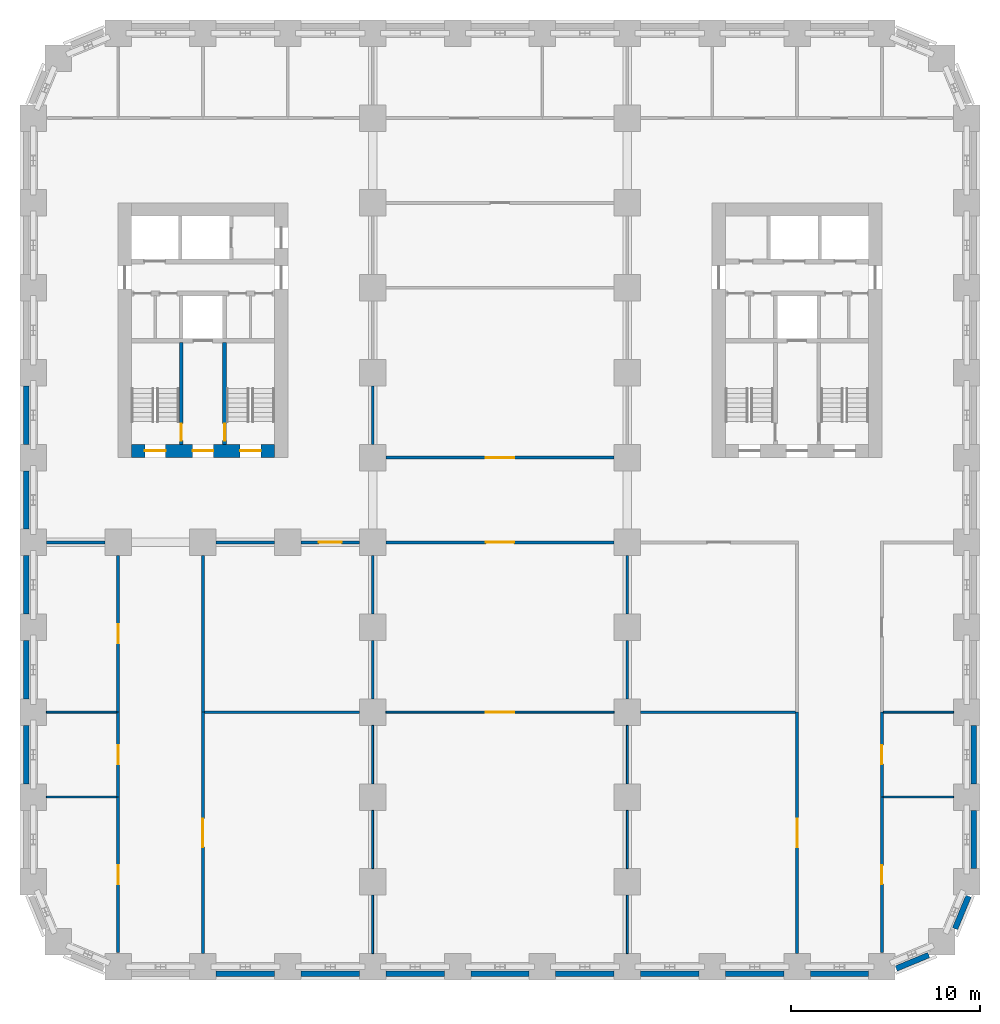
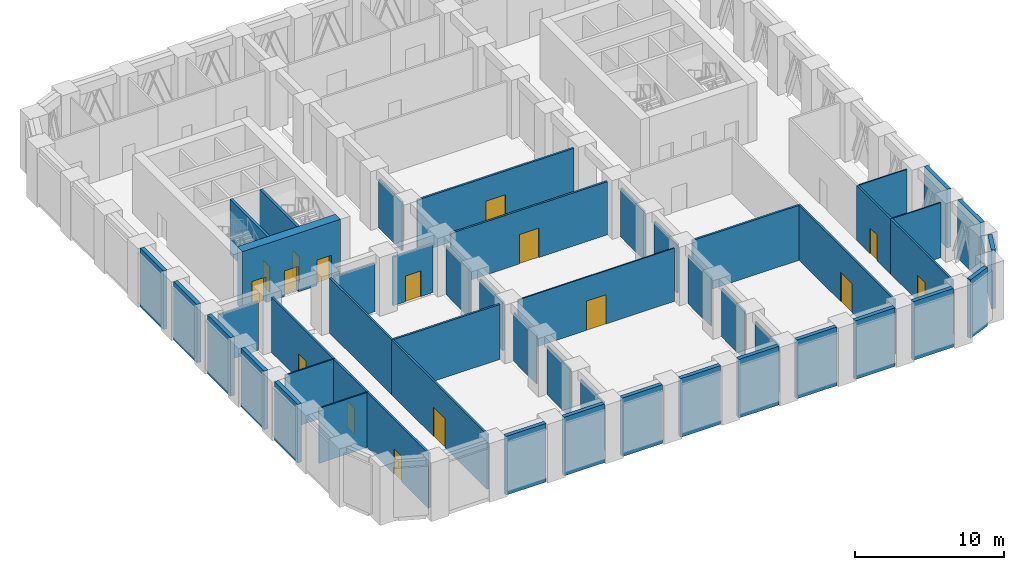
# One storey, part 3 of 9: 51 walls, 16 doors, 16 openings.
"""IFC4 building model written with IfcOpenShell, lengths in metres."""

import ifcopenshell
import ifcopenshell.guid

model = None  # the IFC model being written
_history = None  # IfcOwnerHistory: only IFC2X3 demands one
_inside = {}  # id of a spatial element -> (the spatial element, [elements in it])
_under = {}  # id of a project, library or spatial element -> (it, [spatial elements below it])
_declared = {}  # id of a project -> (the project, [libraries it declares])
_typed = {}  # id of a type object -> (the type object, [elements of that type])
_made_of = {}  # id of a material, layer set ... -> (it, [elements and type objects made of it])


def new_model(schema):
    """Start an empty IFC model of exactly this schema.

    Asked for "IFC4X3", IfcOpenShell would pick the latest addendum, in which some entities
    have other attributes; the version numbers below select the first issue.
    IFC2X3 requires an IfcOwnerHistory on every rooted entity: one is made here for all.
    """
    global model, _history
    if schema == "IFC4X3":
        model = ifcopenshell.file(schema_version=(4, 3, 0, 0))
    else:
        model = ifcopenshell.file(schema=schema)
    _inside.clear()
    _under.clear()
    _declared.clear()
    _typed.clear()
    _made_of.clear()
    _history = None
    if model.schema == "IFC2X3":
        org = make("IfcOrganization", Name="unknown")
        user = make(
            "IfcPersonAndOrganization",
            ThePerson=make("IfcPerson", FamilyName="unknown"),
            TheOrganization=org,
        )
        app = make(
            "IfcApplication",
            ApplicationDeveloper=org,
            Version="unknown",
            ApplicationFullName="unknown",
            ApplicationIdentifier="unknown",
        )
        _history = make(
            "IfcOwnerHistory",
            OwningUser=user,
            OwningApplication=app,
            ChangeAction="ADDED",
            CreationDate=0,
        )
    return model


def make(cls, **values):
    """One entity of the class cls with the attributes given. An attribute that is None is left unset."""
    return model.create_entity(
        cls, **{name: value for name, value in values.items() if value is not None}
    )


def rooted(cls, **values):
    """An entity with a GlobalId (a new one), such as an element, a storey or a relation."""
    return make(cls, GlobalId=ifcopenshell.guid.new(), OwnerHistory=_history, **values)


def si_unit(unit_type, name, prefix=None):
    """IfcSIUnit, for example si_unit("LENGTHUNIT", "METRE", prefix="MILLI")."""
    return make("IfcSIUnit", UnitType=unit_type, Prefix=prefix, Name=name)


def assignment(units):
    """IfcUnitAssignment: the units of a project."""
    return None if units is None else make("IfcUnitAssignment", Units=units)


def point(xyz):
    """IfcCartesianPoint."""
    return None if xyz is None else make("IfcCartesianPoint", Coordinates=xyz)


def direction(xyz):
    """IfcDirection."""
    return None if xyz is None else make("IfcDirection", DirectionRatios=xyz)


def frame(location, z_axis=None, x_axis=None):
    """IfcAxis2Placement3D, a coordinate frame: its origin and axes. An axis left out is left unset."""
    return make(
        "IfcAxis2Placement3D",
        Location=point(location),
        Axis=direction(z_axis),
        RefDirection=direction(x_axis),
    )


def frame_2d(location, x_axis=None):
    """IfcAxis2Placement2D, a coordinate frame in the plane: its origin and x axis."""
    return make(
        "IfcAxis2Placement2D", Location=point(location), RefDirection=direction(x_axis)
    )


def origin():
    """The frame at (0, 0, 0) with its axes left unset."""
    return frame((0.0, 0.0, 0.0))


def place(relative_to, where):
    """IfcLocalPlacement: puts the frame where relative to a parent placement (None: the world)."""
    return make(
        "IfcLocalPlacement", PlacementRelTo=relative_to, RelativePlacement=where
    )


def context(
    kind, dimensions, precision=None, world=None, true_north=None, identifier=None
):
    """IfcGeometricRepresentationContext, for example the 3D "Model" context."""
    return make(
        "IfcGeometricRepresentationContext",
        ContextIdentifier=identifier,
        ContextType=kind,
        CoordinateSpaceDimension=dimensions,
        Precision=precision,
        WorldCoordinateSystem=world,
        TrueNorth=true_north,
    )


def subcontext(parent, identifier, kind, view, scale=None):
    """IfcGeometricRepresentationSubContext, for example "Body" below "Model"."""
    return make(
        "IfcGeometricRepresentationSubContext",
        ContextIdentifier=identifier,
        ContextType=kind,
        ParentContext=parent,
        TargetScale=scale,
        TargetView=view,
    )


def project(units=None, contexts=None):
    """IfcProject with its units and contexts."""
    return rooted(
        "IfcProject",
        Name="project",
        RepresentationContexts=contexts,
        UnitsInContext=assignment(units),
    )


def spatial(cls, under=None, at=None, **own):
    """A site, building, storey or space (cls), placed at a placement, below another one or the project."""
    s = rooted(cls, ObjectPlacement=at, **own)
    if under is not None:
        _under.setdefault(under.id(), (under, []))[1].append(s)
    return s


def profile(cls, at=None, kind="AREA", **sizes):
    """A parametric profile (cls). Its sizes go by their IFC names, for example OverallWidth=200.0."""
    return make(cls, ProfileType=kind, Position=at, **sizes)


def rectangle(**sizes):
    """IfcRectangleProfileDef."""
    return profile("IfcRectangleProfileDef", **sizes)


def extrude(swept, where, along, depth):
    """IfcExtrudedAreaSolid: the profile swept, set in the frame where, extruded along a direction by depth."""
    return make(
        "IfcExtrudedAreaSolid",
        SweptArea=swept,
        Position=where,
        ExtrudedDirection=direction(along),
        Depth=depth,
    )


def shape(context_of_items, identifier, shape_type, items):
    """IfcShapeRepresentation: the items that make up one representation, for example the "Body"."""
    return make(
        "IfcShapeRepresentation",
        ContextOfItems=context_of_items,
        RepresentationIdentifier=identifier,
        RepresentationType=shape_type,
        Items=items,
    )


def material(Name=None, Category=None):
    """IfcMaterial."""
    return make("IfcMaterial", Name=Name, Category=Category)


def layer(
    of_material, thickness, ventilated=None, Name=None, Category=None, Priority=None
):
    """IfcMaterialLayer: one layer of a wall or slab, of a material (None: an air gap)."""
    return make(
        "IfcMaterialLayer",
        Material=of_material,
        LayerThickness=thickness,
        IsVentilated=ventilated,
        Name=Name,
        Category=Category,
        Priority=Priority,
    )


def layer_set(layers, Name=None):
    """IfcMaterialLayerSet."""
    return make("IfcMaterialLayerSet", MaterialLayers=layers, LayerSetName=Name)


def made_of(thing, what):
    """Note that an element or type object is made of a material, layer set ...; save() writes the relation."""
    if what is not None:
        _made_of.setdefault(what.id(), (what, []))[1].append(thing)
    return thing


def type_object(cls, material=None, **own):
    """A type object (cls), such as IfcWallType, which elements share."""
    return made_of(rooted(cls, **own), material)


def element(
    cls,
    number,
    at=None,
    inside=None,
    cuts=None,
    type_object=None,
    material=None,
    context=None,
    identifier="Body",
    shape_type=None,
    held_by="IfcProductDefinitionShape",
    body=None,
    shapes=None,
    **own,
):
    """One element of the class cls, such as IfcWall. Its Tag is "e" and its number.

    at: its placement. inside: the storey or other place that contains it. cuts: it is an
    opening in that element (IfcRelVoidsElement). A single representation is given by context,
    identifier, shape_type and body (its items); several are given by shapes. held_by: the class
    of the entity that holds the representations. save() writes the other relations.
    """
    e = rooted(cls, Tag="e%d" % number, ObjectPlacement=at, **own)
    if body is not None:
        shapes = [shape(context, identifier, shape_type, body)]
    if shapes is not None:
        e.Representation = make(held_by, Representations=shapes)
    if inside is not None:
        _inside.setdefault(inside.id(), (inside, []))[1].append(e)
    if cuts is not None:
        rooted(
            "IfcRelVoidsElement", RelatingBuildingElement=cuts, RelatedOpeningElement=e
        )
    if type_object is not None:
        _typed.setdefault(type_object.id(), (type_object, []))[1].append(e)
    return made_of(e, material)


def fill(opening, filler):
    """IfcRelFillsElement: the door or window that sits in an opening."""
    return rooted(
        "IfcRelFillsElement",
        RelatingOpeningElement=opening,
        RelatedBuildingElement=filler,
    )


def aggregate(whole, parts):
    """IfcRelAggregates: a whole, such as a stair, and the parts it consists of."""
    return rooted("IfcRelAggregates", RelatingObject=whole, RelatedObjects=parts)


def save(model, path):
    """Write the relations noted so far, then the file.

    IfcRelAggregates (storeys below a building ...), IfcRelContainedInSpatialStructure (elements
    in a storey), IfcRelDefinesByType, IfcRelAssociatesMaterial and IfcRelDeclares: one each for
    every whole, place, type object, material and project.
    """
    for whole, parts in _under.values():
        aggregate(whole, parts)
    for where, things in _inside.values():
        rooted(
            "IfcRelContainedInSpatialStructure",
            RelatedElements=things,
            RelatingStructure=where,
        )
    for kind, things in _typed.values():
        rooted("IfcRelDefinesByType", RelatedObjects=things, RelatingType=kind)
    for what, things in _made_of.values():
        rooted("IfcRelAssociatesMaterial", RelatedObjects=things, RelatingMaterial=what)
    for by, libraries in _declared.values():
        rooted("IfcRelDeclares", RelatingContext=by, RelatedDefinitions=libraries)
    model.write(path)


model = new_model("IFC4")

# Units and contexts
model_context = context("Model", 3, precision=1e-05, world=origin(), true_north=direction((0.0, 1.0)))
body_context = subcontext(model_context, "Body", "Model", "MODEL_VIEW")
ifc_project = project(units=[si_unit("LENGTHUNIT", "METRE"), si_unit("AREAUNIT", "SQUARE_METRE"), si_unit("VOLUMEUNIT", "CUBIC_METRE"), si_unit("PLANEANGLEUNIT", "RADIAN"), si_unit("MASSUNIT", "GRAM", prefix="KILO")], contexts=[model_context])

# Site, building, storey
site_placement = place(None, origin())
site = spatial("IfcSite", under=ifc_project, at=site_placement, CompositionType="ELEMENT")
building_placement = place(site_placement, origin())
building = spatial("IfcBuilding", under=site, at=building_placement, Name="Girih Gate Residences", CompositionType="ELEMENT")
storey_placement = place(building_placement, frame((0.0, 0.0, 75.199951171875)))
storey = spatial("IfcBuildingStorey", under=building, at=storey_placement, Name="L20", CompositionType="ELEMENT", Elevation=75.199951171875)

# Wall, opening, door
ifc_material_1 = material(Name="Gypsum board on steel studs", Category="steel")
ifc_layer_1 = layer(ifc_material_1, 0.14990234375)
ifc_layer_set_1 = layer_set([ifc_layer_1], Name="Compartment wall 150 mm")
wall_type_1 = type_object("IfcWallType", Name="Compartment wall 150 mm", PredefinedType="PARTITIONING", material=ifc_layer_set_1)
wall_1_placement = place(storey_placement, frame((18.699951171875, 27.0, 0.0), z_axis=(0.0, 0.0, 1.0), x_axis=(1.0, 0.0, 0.0)))
wall_1 = element("IfcWall", 1, at=wall_1_placement, inside=storey, type_object=wall_type_1, Name="L20 partition", PredefinedType="PARTITIONING", context=body_context, shape_type="SweptSolid", body=[
    extrude(rectangle(XDim=12.10009765625, YDim=0.14990234375, at=frame_2d((6.050048828125, 0.0))), origin(), (0.0, 0.0, 1.0), 4.35009765625),
])
opening_1_placement = place(wall_1_placement, frame((5.300048828125, 0.0, 0.0)))
opening_1 = element("IfcOpeningElement", 2, at=opening_1_placement, cuts=wall_1, Name="Opening D-L20-S-001", PredefinedType="OPENING", context=body_context, shape_type="SweptSolid", body=[
    extrude(rectangle(XDim=1.5, YDim=2.39990234375, at=frame_2d((0.75, 1.199951171875))), frame((0.0, 0.0849609375, 0.0), z_axis=(0.0, -1.0, 0.0), x_axis=(1.0, 0.0, 0.0)), (0.0, 0.0, 1.0), 0.169921875),
])
ifc_material_2 = material(Name="Painted steel, fire-resisting", Category="steel")
door_type_1 = type_object("IfcDoorType", Name="Plant room door pair 1500x2400 FD60", OperationType="DOUBLE_DOOR_SINGLE_SWING", PredefinedType="DOOR", material=ifc_material_2)
door_1_placement = place(opening_1_placement, origin())
door_1 = element("IfcDoor", 3, at=door_1_placement, inside=storey, type_object=door_type_1, Name="Door L20-001", OperationType="DOUBLE_DOOR_SINGLE_SWING", OverallHeight=2.39990234375, OverallWidth=1.5, PredefinedType="DOOR", context=body_context, shape_type="SweptSolid", body=[
    extrude(rectangle(XDim=1.5, YDim=2.39990234375, at=frame_2d((0.75, 1.199951171875))), frame((0.0, 0.02490234375, 0.0), z_axis=(0.0, -1.0, 0.0), x_axis=(1.0, 0.0, 0.0)), (0.0, 0.0, 1.0), 0.050048828125),
])
fill(opening_1, door_1)

wall_2_placement = place(storey_placement, frame((30.800048828125, 22.5, 0.0), z_axis=(0.0, 0.0, 1.0), x_axis=(-1.0, 0.0, 0.0)))
wall_2 = element("IfcWall", 4, at=wall_2_placement, inside=storey, type_object=wall_type_1, Name="L20 partition", PredefinedType="PARTITIONING", context=body_context, shape_type="SweptSolid", body=[
    extrude(rectangle(XDim=12.10009765625, YDim=0.14990234375, at=frame_2d((6.050048828125, 0.0))), origin(), (0.0, 0.0, 1.0), 4.35009765625),
])
opening_2_placement = place(wall_2_placement, frame((5.300048828125, 0.0, 0.0)))
opening_2 = element("IfcOpeningElement", 5, at=opening_2_placement, cuts=wall_2, Name="Opening D-L20-S-002", PredefinedType="OPENING", context=body_context, shape_type="SweptSolid", body=[
    extrude(rectangle(XDim=1.5, YDim=2.39990234375, at=frame_2d((0.75, 1.199951171875))), frame((0.0, 0.0849609375, 0.0), z_axis=(0.0, -1.0, 0.0), x_axis=(1.0, 0.0, 0.0)), (0.0, 0.0, 1.0), 0.169921875),
])
door_2_placement = place(opening_2_placement, origin())
door_2 = element("IfcDoor", 6, at=door_2_placement, inside=storey, type_object=door_type_1, Name="Door L20-002", OperationType="DOUBLE_DOOR_SINGLE_SWING", OverallHeight=2.39990234375, OverallWidth=1.5, PredefinedType="DOOR", context=body_context, shape_type="SweptSolid", body=[
    extrude(rectangle(XDim=1.5, YDim=2.39990234375, at=frame_2d((0.75, 1.199951171875))), frame((0.0, 0.02490234375, 0.0), z_axis=(0.0, -1.0, 0.0), x_axis=(1.0, 0.0, 0.0)), (0.0, 0.0, 1.0), 0.050048828125),
])
fill(opening_2, door_2)

# Walls
for number, where, z_axis, x_axis, name in (
    (7, (18.0, 27.699951171875, 0.0), (0.0, 0.0, 1.0), (0.0, 1.0, 0.0), "L20 partition"),
    (8, (31.5, 18.699951171875, 0.0), (0.0, 0.0, 1.0), (0.0, 1.0, 0.0), "L20 partition"),
    (9, (31.5, 14.199951171875, 0.0), (0.0, 0.0, 1.0), (0.0, 1.0, 0.0), "L20 partition"),
    (10, (18.0, 14.199951171875, 0.0), (0.0, 0.0, 1.0), (0.0, 1.0, 0.0), "L20 partition"),
    (11, (18.0, 18.699951171875, 0.0), (0.0, 0.0, 1.0), (0.0, 1.0, 0.0), "L20 partition"),
):
    element("IfcWall", number, at=place(storey_placement, frame(where, z_axis=z_axis, x_axis=x_axis)), inside=storey, type_object=wall_type_1, Name=name, PredefinedType="PARTITIONING", context=body_context, shape_type="SweptSolid", body=[
        extrude(rectangle(XDim=3.10009765625, YDim=0.14990234375, at=frame_2d((1.550048828125, 0.0))), origin(), (0.0, 0.0, 1.0), 3.97998046875),
    ])
wall_3_placement = place(storey_placement, frame((32.199951171875, 13.5, 0.0), z_axis=(0.0, 0.0, 1.0), x_axis=(1.0, 0.0, 0.0)))
element("IfcWall", 12, at=wall_3_placement, inside=storey, type_object=wall_type_1, Name="L20 partition", PredefinedType="PARTITIONING", context=body_context, shape_type="SweptSolid", body=[
    extrude(rectangle(XDim=8.22509765625, YDim=0.14990234375, at=frame_2d((4.112548828125, 0.0))), origin(), (0.0, 0.0, 1.0), 4.5),
])

# Wall, opening, door
wall_4_placement = place(storey_placement, frame((40.5, 0.699951171875, 0.0), z_axis=(0.0, 0.0, 1.0), x_axis=(0.0, 1.0, 0.0)))
wall_4 = element("IfcWall", 13, at=wall_4_placement, inside=storey, type_object=wall_type_1, Name="L20 partition", PredefinedType="PARTITIONING", context=body_context, shape_type="SweptSolid", body=[
    extrude(rectangle(XDim=12.800048828125, YDim=0.14990234375, at=frame_2d((6.39990234375, 0.0))), origin(), (0.0, 0.0, 1.0), 4.5),
])
opening_3_placement = place(wall_4_placement, frame((5.64990234375, 0.0, 0.0)))
opening_3 = element("IfcOpeningElement", 14, at=opening_3_placement, cuts=wall_4, Name="Opening D-L20-S-012", PredefinedType="OPENING", context=body_context, shape_type="SweptSolid", body=[
    extrude(rectangle(XDim=1.5, YDim=2.39990234375, at=frame_2d((0.75, 1.199951171875))), frame((0.0, 0.0849609375, 0.0), z_axis=(0.0, -1.0, 0.0), x_axis=(1.0, 0.0, 0.0)), (0.0, 0.0, 1.0), 0.169921875),
])
door_3_placement = place(opening_3_placement, origin())
door_3 = element("IfcDoor", 15, at=door_3_placement, inside=storey, type_object=door_type_1, Name="Door L20-012", OperationType="DOUBLE_DOOR_SINGLE_SWING", OverallHeight=2.39990234375, OverallWidth=1.5, PredefinedType="DOOR", context=body_context, shape_type="SweptSolid", body=[
    extrude(rectangle(XDim=1.5, YDim=2.39990234375, at=frame_2d((0.75, 1.199951171875))), frame((0.0, 0.02490234375, 0.0), z_axis=(0.0, -1.0, 0.0), x_axis=(1.0, 0.0, 0.0)), (0.0, 0.0, 1.0), 0.050048828125),
])
fill(opening_3, door_3)

wall_5_placement = place(storey_placement, frame((45.0, 9.0, 0.0), z_axis=(0.0, 0.0, 1.0), x_axis=(0.0, -1.0, 0.0)))
wall_5 = element("IfcWall", 16, at=wall_5_placement, inside=storey, type_object=wall_type_1, Name="L20 partition", PredefinedType="PARTITIONING", context=body_context, shape_type="SweptSolid", body=[
    extrude(rectangle(XDim=8.242431640625, YDim=0.14990234375, at=frame_2d((4.12109375, 0.0))), origin(), (0.0, 0.0, 1.0), 4.5),
])
opening_4_placement = place(wall_5_placement, frame((3.62109375, 0.0, 0.0)))
opening_4 = element("IfcOpeningElement", 17, at=opening_4_placement, cuts=wall_5, Name="Opening D-L20-S-013", PredefinedType="OPENING", context=body_context, shape_type="SweptSolid", body=[
    extrude(rectangle(XDim=1.0, YDim=2.10009765625, at=frame_2d((0.5, 1.050048828125))), frame((0.0, 0.0849609375, 0.0), z_axis=(0.0, -1.0, 0.0), x_axis=(1.0, 0.0, 0.0)), (0.0, 0.0, 1.0), 0.169921875),
])
door_type_2 = type_object("IfcDoorType", Name="Plant room door 1000x2100 FD60", OperationType="SINGLE_SWING_LEFT", PredefinedType="DOOR", material=ifc_material_2)
door_4_placement = place(opening_4_placement, origin())
door_4 = element("IfcDoor", 18, at=door_4_placement, inside=storey, type_object=door_type_2, Name="Door L20-013", OperationType="SINGLE_SWING_RIGHT", OverallHeight=2.10009765625, OverallWidth=1.0, PredefinedType="DOOR", context=body_context, shape_type="SweptSolid", body=[
    extrude(rectangle(XDim=1.0, YDim=2.10009765625, at=frame_2d((0.5, 1.050048828125))), frame((0.0, 0.02490234375, 0.0), z_axis=(0.0, -1.0, 0.0), x_axis=(1.0, 0.0, 0.0)), (0.0, 0.0, 1.0), 0.050048828125),
])
fill(opening_4, door_4)

wall_6_placement = place(storey_placement, frame((45.0, 13.5, 0.0), z_axis=(0.0, 0.0, 1.0), x_axis=(0.0, -1.0, 0.0)))
wall_6 = element("IfcWall", 19, at=wall_6_placement, inside=storey, type_object=wall_type_1, Name="L20 partition", PredefinedType="PARTITIONING", context=body_context, shape_type="SweptSolid", body=[
    extrude(rectangle(XDim=4.5, YDim=0.14990234375, at=frame_2d((2.25, 0.0))), origin(), (0.0, 0.0, 1.0), 4.5),
])
opening_5_placement = place(wall_6_placement, frame((1.75, 0.0, 0.0)))
opening_5 = element("IfcOpeningElement", 20, at=opening_5_placement, cuts=wall_6, Name="Opening D-L20-S-014", PredefinedType="OPENING", context=body_context, shape_type="SweptSolid", body=[
    extrude(rectangle(XDim=1.0, YDim=2.10009765625, at=frame_2d((0.5, 1.050048828125))), frame((0.0, 0.0849609375, 0.0), z_axis=(0.0, -1.0, 0.0), x_axis=(1.0, 0.0, 0.0)), (0.0, 0.0, 1.0), 0.169921875),
])
door_5_placement = place(opening_5_placement, origin())
door_5 = element("IfcDoor", 21, at=door_5_placement, inside=storey, type_object=door_type_2, Name="Door L20-014", OperationType="SINGLE_SWING_RIGHT", OverallHeight=2.10009765625, OverallWidth=1.0, PredefinedType="DOOR", context=body_context, shape_type="SweptSolid", body=[
    extrude(rectangle(XDim=1.0, YDim=2.10009765625, at=frame_2d((0.5, 1.050048828125))), frame((0.0, 0.02490234375, 0.0), z_axis=(0.0, -1.0, 0.0), x_axis=(1.0, 0.0, 0.0)), (0.0, 0.0, 1.0), 0.050048828125),
])
fill(opening_5, door_5)

wall_7_placement = place(storey_placement, frame((17.300048828125, 22.5, 0.0), z_axis=(0.0, 0.0, 1.0), x_axis=(-1.0, 0.0, 0.0)))
wall_7 = element("IfcWall", 22, at=wall_7_placement, inside=storey, type_object=wall_type_1, Name="L20 partition", PredefinedType="PARTITIONING", context=body_context, shape_type="SweptSolid", body=[
    extrude(rectangle(XDim=3.10009765625, YDim=0.14990234375, at=frame_2d((1.550048828125, 0.0))), origin(), (0.0, 0.0, 1.0), 3.97998046875),
])
opening_6_placement = place(wall_7_placement, frame((0.949951171875, 0.0, 0.0)))
opening_6 = element("IfcOpeningElement", 23, at=opening_6_placement, cuts=wall_7, Name="Opening D-L20-S-016", PredefinedType="OPENING", context=body_context, shape_type="SweptSolid", body=[
    extrude(rectangle(XDim=1.199951171875, YDim=2.10009765625, at=frame_2d((0.60009765625, 1.050048828125))), frame((0.0, 0.0849609375, 0.0), z_axis=(0.0, -1.0, 0.0), x_axis=(1.0, 0.0, 0.0)), (0.0, 0.0, 1.0), 0.169921875),
])
ifc_material_3 = material(Name="Timber, fire-rated core", Category="wood")
door_type_3 = type_object("IfcDoorType", Name="Gallery fire door 1200x2100 FD30S", OperationType="SINGLE_SWING_LEFT", PredefinedType="DOOR", material=ifc_material_3)
door_6_placement = place(opening_6_placement, origin())
door_6 = element("IfcDoor", 24, at=door_6_placement, inside=storey, type_object=door_type_3, Name="Door L20-016", OperationType="SINGLE_SWING_LEFT", OverallHeight=2.10009765625, OverallWidth=1.199951171875, PredefinedType="DOOR", context=body_context, shape_type="SweptSolid", body=[
    extrude(rectangle(XDim=1.199951171875, YDim=2.10009765625, at=frame_2d((0.60009765625, 1.050048828125))), frame((0.0, 0.02490234375, 0.0), z_axis=(0.0, -1.0, 0.0), x_axis=(1.0, 0.0, 0.0)), (0.0, 0.0, 1.0), 0.050048828125),
])
fill(opening_6, door_6)

# Walls
for number, where, z_axis, x_axis, name in (
    (25, (9.699951171875, 22.5, 0.0), (0.0, 0.0, 1.0), (1.0, 0.0, 0.0), "L20 partition"),
    (26, (0.699951171875, 22.5, 0.0), (0.0, 0.0, 1.0), (1.0, 0.0, 0.0), "L20 partition"),
):
    element("IfcWall", number, at=place(storey_placement, frame(where, z_axis=z_axis, x_axis=x_axis)), inside=storey, type_object=wall_type_1, Name=name, PredefinedType="PARTITIONING", context=body_context, shape_type="SweptSolid", body=[
        extrude(rectangle(XDim=3.10009765625, YDim=0.14990234375, at=frame_2d((1.550048828125, 0.0))), origin(), (0.0, 0.0, 1.0), 3.97998046875),
    ])
wall_8_placement = place(storey_placement, frame((9.074951171875, 13.5, 0.0), z_axis=(0.0, 0.0, 1.0), x_axis=(1.0, 0.0, 0.0)))
element("IfcWall", 27, at=wall_8_placement, inside=storey, type_object=wall_type_1, Name="L20 partition", PredefinedType="PARTITIONING", context=body_context, shape_type="SweptSolid", body=[
    extrude(rectangle(XDim=8.22509765625, YDim=0.14990234375, at=frame_2d((4.112548828125, 0.0))), origin(), (0.0, 0.0, 1.0), 4.5),
])

# Wall, opening, door
wall_9_placement = place(storey_placement, frame((9.0, 13.5, 0.0), z_axis=(0.0, 0.0, 1.0), x_axis=(0.0, -1.0, 0.0)))
wall_9 = element("IfcWall", 28, at=wall_9_placement, inside=storey, type_object=wall_type_1, Name="L20 partition", PredefinedType="PARTITIONING", context=body_context, shape_type="SweptSolid", body=[
    extrude(rectangle(XDim=12.800048828125, YDim=0.14990234375, at=frame_2d((6.39990234375, 0.0))), origin(), (0.0, 0.0, 1.0), 4.5),
])
opening_7_placement = place(wall_9_placement, frame((5.64990234375, 0.0, 0.0)))
opening_7 = element("IfcOpeningElement", 29, at=opening_7_placement, cuts=wall_9, Name="Opening D-L20-S-021", PredefinedType="OPENING", context=body_context, shape_type="SweptSolid", body=[
    extrude(rectangle(XDim=1.5, YDim=2.39990234375, at=frame_2d((0.75, 1.199951171875))), frame((0.0, 0.0849609375, 0.0), z_axis=(0.0, -1.0, 0.0), x_axis=(1.0, 0.0, 0.0)), (0.0, 0.0, 1.0), 0.169921875),
])
door_7_placement = place(opening_7_placement, origin())
door_7 = element("IfcDoor", 30, at=door_7_placement, inside=storey, type_object=door_type_1, Name="Door L20-021", OperationType="DOUBLE_DOOR_SINGLE_SWING", OverallHeight=2.39990234375, OverallWidth=1.5, PredefinedType="DOOR", context=body_context, shape_type="SweptSolid", body=[
    extrude(rectangle(XDim=1.5, YDim=2.39990234375, at=frame_2d((0.75, 1.199951171875))), frame((0.0, 0.02490234375, 0.0), z_axis=(0.0, -1.0, 0.0), x_axis=(1.0, 0.0, 0.0)), (0.0, 0.0, 1.0), 0.050048828125),
])
fill(opening_7, door_7)

# Wall
wall_10_placement = place(storey_placement, frame((9.0, 13.5, 0.0), z_axis=(0.0, 0.0, 1.0), x_axis=(0.0, 1.0, 0.0)))
element("IfcWall", 31, at=wall_10_placement, inside=storey, type_object=wall_type_1, Name="L20 partition", PredefinedType="PARTITIONING", context=body_context, shape_type="SweptSolid", body=[
    extrude(rectangle(XDim=8.300048828125, YDim=0.14990234375, at=frame_2d((4.14990234375, 0.0))), origin(), (0.0, 0.0, 1.0), 4.5),
])

# Wall, opening, door
wall_11_placement = place(storey_placement, frame((4.5, 0.757568359375, 0.0), z_axis=(0.0, 0.0, 1.0), x_axis=(0.0, 1.0, 0.0)))
wall_11 = element("IfcWall", 32, at=wall_11_placement, inside=storey, type_object=wall_type_1, Name="L20 partition", PredefinedType="PARTITIONING", context=body_context, shape_type="SweptSolid", body=[
    extrude(rectangle(XDim=8.242431640625, YDim=0.14990234375, at=frame_2d((4.12109375, 0.0))), origin(), (0.0, 0.0, 1.0), 4.5),
])
opening_8_placement = place(wall_11_placement, frame((3.62109375, 0.0, 0.0)))
opening_8 = element("IfcOpeningElement", 33, at=opening_8_placement, cuts=wall_11, Name="Opening D-L20-S-022", PredefinedType="OPENING", context=body_context, shape_type="SweptSolid", body=[
    extrude(rectangle(XDim=1.0, YDim=2.10009765625, at=frame_2d((0.5, 1.050048828125))), frame((0.0, 0.0849609375, 0.0), z_axis=(0.0, -1.0, 0.0), x_axis=(1.0, 0.0, 0.0)), (0.0, 0.0, 1.0), 0.169921875),
])
door_8_placement = place(opening_8_placement, origin())
door_8 = element("IfcDoor", 34, at=door_8_placement, inside=storey, type_object=door_type_2, Name="Door L20-022", OperationType="SINGLE_SWING_RIGHT", OverallHeight=2.10009765625, OverallWidth=1.0, PredefinedType="DOOR", context=body_context, shape_type="SweptSolid", body=[
    extrude(rectangle(XDim=1.0, YDim=2.10009765625, at=frame_2d((0.5, 1.050048828125))), frame((0.0, 0.02490234375, 0.0), z_axis=(0.0, -1.0, 0.0), x_axis=(1.0, 0.0, 0.0)), (0.0, 0.0, 1.0), 0.050048828125),
])
fill(opening_8, door_8)

wall_12_placement = place(storey_placement, frame((4.5, 9.0, 0.0), z_axis=(0.0, 0.0, 1.0), x_axis=(0.0, 1.0, 0.0)))
wall_12 = element("IfcWall", 35, at=wall_12_placement, inside=storey, type_object=wall_type_1, Name="L20 partition", PredefinedType="PARTITIONING", context=body_context, shape_type="SweptSolid", body=[
    extrude(rectangle(XDim=4.5, YDim=0.14990234375, at=frame_2d((2.25, 0.0))), origin(), (0.0, 0.0, 1.0), 4.5),
])
opening_9_placement = place(wall_12_placement, frame((1.75, 0.0, 0.0)))
opening_9 = element("IfcOpeningElement", 36, at=opening_9_placement, cuts=wall_12, Name="Opening D-L20-S-023", PredefinedType="OPENING", context=body_context, shape_type="SweptSolid", body=[
    extrude(rectangle(XDim=1.0, YDim=2.10009765625, at=frame_2d((0.5, 1.050048828125))), frame((0.0, 0.0849609375, 0.0), z_axis=(0.0, -1.0, 0.0), x_axis=(1.0, 0.0, 0.0)), (0.0, 0.0, 1.0), 0.169921875),
])
door_9_placement = place(opening_9_placement, origin())
door_9 = element("IfcDoor", 37, at=door_9_placement, inside=storey, type_object=door_type_2, Name="Door L20-023", OperationType="SINGLE_SWING_RIGHT", OverallHeight=2.10009765625, OverallWidth=1.0, PredefinedType="DOOR", context=body_context, shape_type="SweptSolid", body=[
    extrude(rectangle(XDim=1.0, YDim=2.10009765625, at=frame_2d((0.5, 1.050048828125))), frame((0.0, 0.02490234375, 0.0), z_axis=(0.0, -1.0, 0.0), x_axis=(1.0, 0.0, 0.0)), (0.0, 0.0, 1.0), 0.050048828125),
])
fill(opening_9, door_9)

wall_13_placement = place(storey_placement, frame((4.5, 13.5, 0.0), z_axis=(0.0, 0.0, 1.0), x_axis=(0.0, 1.0, 0.0)))
wall_13 = element("IfcWall", 38, at=wall_13_placement, inside=storey, type_object=wall_type_1, Name="L20 partition", PredefinedType="PARTITIONING", context=body_context, shape_type="SweptSolid", body=[
    extrude(rectangle(XDim=8.300048828125, YDim=0.14990234375, at=frame_2d((4.14990234375, 0.0))), origin(), (0.0, 0.0, 1.0), 4.5),
])
opening_10_placement = place(wall_13_placement, frame((3.64990234375, 0.0, 0.0)))
opening_10 = element("IfcOpeningElement", 39, at=opening_10_placement, cuts=wall_13, Name="Opening D-L20-S-024", PredefinedType="OPENING", context=body_context, shape_type="SweptSolid", body=[
    extrude(rectangle(XDim=1.0, YDim=2.10009765625, at=frame_2d((0.5, 1.050048828125))), frame((0.0, 0.0849609375, 0.0), z_axis=(0.0, -1.0, 0.0), x_axis=(1.0, 0.0, 0.0)), (0.0, 0.0, 1.0), 0.169921875),
])
door_10_placement = place(opening_10_placement, origin())
door_10 = element("IfcDoor", 40, at=door_10_placement, inside=storey, type_object=door_type_2, Name="Door L20-024", OperationType="SINGLE_SWING_RIGHT", OverallHeight=2.10009765625, OverallWidth=1.0, PredefinedType="DOOR", context=body_context, shape_type="SweptSolid", body=[
    extrude(rectangle(XDim=1.0, YDim=2.10009765625, at=frame_2d((0.5, 1.050048828125))), frame((0.0, 0.02490234375, 0.0), z_axis=(0.0, -1.0, 0.0), x_axis=(1.0, 0.0, 0.0)), (0.0, 0.0, 1.0), 0.050048828125),
])
fill(opening_10, door_10)

# Wall, openings, doors
ifc_material_4 = material(Name="Concrete C60/75", Category="concrete")
ifc_layer_2 = layer(ifc_material_4, 0.699951171875)
ifc_layer_set_2 = layer_set([ifc_layer_2], Name="Core wall RC 700 Concrete C60/75")
wall_type_2 = type_object("IfcWallType", Name="Core wall RC 700 Concrete C60/75", PredefinedType="SOLIDWALL", material=ifc_layer_set_2)
wall_14_placement = place(storey_placement, frame((5.199951171875, 27.35009765625, 0.0), z_axis=(0.0, 0.0, 1.0), x_axis=(1.0, 0.0, 0.0)))
wall_14 = element("IfcWall", 41, at=wall_14_placement, inside=storey, type_object=wall_type_2, Name="Core wall W-S L20", PredefinedType="SOLIDWALL", context=body_context, shape_type="SweptSolid", body=[
    extrude(rectangle(XDim=7.60009765625, YDim=0.699951171875, at=frame_2d((3.800048828125, 0.0))), origin(), (0.0, 0.0, 1.0), 4.800048828125),
])
opening_11_placement = place(wall_14_placement, frame((0.72509765625, 0.0, 0.0)))
opening_11 = element("IfcOpeningElement", 42, at=opening_11_placement, cuts=wall_14, Name="Opening D-L20-W-010", PredefinedType="OPENING", context=body_context, shape_type="SweptSolid", body=[
    extrude(rectangle(XDim=1.10009765625, YDim=2.10009765625, at=frame_2d((0.550048828125, 1.050048828125))), frame((0.0, 0.35986328125, 0.0), z_axis=(0.0, -1.0, 0.0), x_axis=(1.0, 0.0, 0.0)), (0.0, 0.0, 1.0), 0.719970703125),
])
opening_12_placement = place(wall_14_placement, frame((3.25, 0.0, 0.0)))
opening_12 = element("IfcOpeningElement", 43, at=opening_12_placement, cuts=wall_14, Name="Opening D-L20-W-011", PredefinedType="OPENING", context=body_context, shape_type="SweptSolid", body=[
    extrude(rectangle(XDim=1.10009765625, YDim=2.10009765625, at=frame_2d((0.550048828125, 1.050048828125))), frame((0.0, 0.35986328125, 0.0), z_axis=(0.0, -1.0, 0.0), x_axis=(1.0, 0.0, 0.0)), (0.0, 0.0, 1.0), 0.719970703125),
])
opening_13_placement = place(wall_14_placement, frame((5.77490234375, 0.0, 0.0)))
opening_13 = element("IfcOpeningElement", 44, at=opening_13_placement, cuts=wall_14, Name="Opening D-L20-W-012", PredefinedType="OPENING", context=body_context, shape_type="SweptSolid", body=[
    extrude(rectangle(XDim=1.10009765625, YDim=2.10009765625, at=frame_2d((0.550048828125, 1.050048828125))), frame((0.0, 0.35986328125, 0.0), z_axis=(0.0, -1.0, 0.0), x_axis=(1.0, 0.0, 0.0)), (0.0, 0.0, 1.0), 0.719970703125),
])
door_type_4 = type_object("IfcDoorType", Name="Fire door 1100x2100", OperationType="SINGLE_SWING_LEFT", PredefinedType="DOOR", material=ifc_material_2)
door_11_placement = place(opening_11_placement, origin())
door_11 = element("IfcDoor", 45, at=door_11_placement, inside=storey, type_object=door_type_4, Name="L20 W core door sta-out", OperationType="SINGLE_SWING_LEFT", OverallHeight=2.10009765625, OverallWidth=1.10009765625, PredefinedType="DOOR", context=body_context, shape_type="SweptSolid", body=[
    extrude(rectangle(XDim=1.10009765625, YDim=2.10009765625, at=frame_2d((0.550048828125, 1.050048828125))), frame((0.0, 0.02490234375, 0.0), z_axis=(0.0, -1.0, 0.0), x_axis=(1.0, 0.0, 0.0)), (0.0, 0.0, 1.0), 0.050048828125),
])
fill(opening_11, door_11)
door_12_placement = place(opening_12_placement, origin())
door_12 = element("IfcDoor", 46, at=door_12_placement, inside=storey, type_object=door_type_4, Name="L20 W core door ffl-out", OperationType="SINGLE_SWING_LEFT", OverallHeight=2.10009765625, OverallWidth=1.10009765625, PredefinedType="DOOR", context=body_context, shape_type="SweptSolid", body=[
    extrude(rectangle(XDim=1.10009765625, YDim=2.10009765625, at=frame_2d((0.550048828125, 1.050048828125))), frame((0.0, 0.02490234375, 0.0), z_axis=(0.0, -1.0, 0.0), x_axis=(1.0, 0.0, 0.0)), (0.0, 0.0, 1.0), 0.050048828125),
])
fill(opening_12, door_12)
door_13_placement = place(opening_13_placement, origin())
door_13 = element("IfcDoor", 47, at=door_13_placement, inside=storey, type_object=door_type_4, Name="L20 W core door stb-out", OperationType="SINGLE_SWING_LEFT", OverallHeight=2.10009765625, OverallWidth=1.10009765625, PredefinedType="DOOR", context=body_context, shape_type="SweptSolid", body=[
    extrude(rectangle(XDim=1.10009765625, YDim=2.10009765625, at=frame_2d((0.550048828125, 1.050048828125))), frame((0.0, 0.02490234375, 0.0), z_axis=(0.0, -1.0, 0.0), x_axis=(1.0, 0.0, 0.0)), (0.0, 0.0, 1.0), 0.050048828125),
])
fill(opening_13, door_13)

# Wall, opening, door
ifc_layer_3 = layer(ifc_material_1, 0.10009765625)
ifc_layer_set_3 = layer_set([ifc_layer_3], Name="Partition 100 mm")
wall_type_3 = type_object("IfcWallType", Name="Partition 100 mm", PredefinedType="PARTITIONING", material=ifc_layer_set_3)
wall_15_placement = place(storey_placement, frame((30.800048828125, 13.5, 0.0), z_axis=(0.0, 0.0, 1.0), x_axis=(-1.0, 0.0, 0.0)))
wall_15 = element("IfcWall", 48, at=wall_15_placement, inside=storey, type_object=wall_type_3, Name="L20 partition", PredefinedType="PARTITIONING", context=body_context, shape_type="SweptSolid", body=[
    extrude(rectangle(XDim=12.10009765625, YDim=0.10009765625, at=frame_2d((6.050048828125, 0.0))), origin(), (0.0, 0.0, 1.0), 4.35009765625),
])
opening_14_placement = place(wall_15_placement, frame((5.300048828125, 0.0, 0.0)))
opening_14 = element("IfcOpeningElement", 49, at=opening_14_placement, cuts=wall_15, Name="Opening D-L20-S-006", PredefinedType="OPENING", context=body_context, shape_type="SweptSolid", body=[
    extrude(rectangle(XDim=1.5, YDim=2.39990234375, at=frame_2d((0.75, 1.199951171875))), frame((0.0, 0.06005859375, 0.0), z_axis=(0.0, -1.0, 0.0), x_axis=(1.0, 0.0, 0.0)), (0.0, 0.0, 1.0), 0.1201171875),
])
door_14_placement = place(opening_14_placement, origin())
door_14 = element("IfcDoor", 50, at=door_14_placement, inside=storey, type_object=door_type_1, Name="Door L20-006", OperationType="DOUBLE_DOOR_SINGLE_SWING", OverallHeight=2.39990234375, OverallWidth=1.5, PredefinedType="DOOR", context=body_context, shape_type="SweptSolid", body=[
    extrude(rectangle(XDim=1.5, YDim=2.39990234375, at=frame_2d((0.75, 1.199951171875))), frame((0.0, 0.02490234375, 0.0), z_axis=(0.0, -1.0, 0.0), x_axis=(1.0, 0.0, 0.0)), (0.0, 0.0, 1.0), 0.050048828125),
])
fill(opening_14, door_14)

# Walls
for number, where, z_axis, x_axis, name in (
    (51, (31.5, 9.699951171875, 0.0), (0.0, 0.0, 1.0), (0.0, 1.0, 0.0), "L20 partition"),
    (52, (31.5, 5.199951171875, 0.0), (0.0, 0.0, 1.0), (0.0, 1.0, 0.0), "L20 partition"),
    (53, (31.5, 0.699951171875, 0.0), (0.0, 0.0, 1.0), (0.0, 1.0, 0.0), "L20 partition"),
    (54, (18.0, 0.699951171875, 0.0), (0.0, 0.0, 1.0), (0.0, 1.0, 0.0), "L20 partition"),
    (55, (18.0, 5.199951171875, 0.0), (0.0, 0.0, 1.0), (0.0, 1.0, 0.0), "L20 partition"),
    (56, (18.0, 9.699951171875, 0.0), (0.0, 0.0, 1.0), (0.0, 1.0, 0.0), "L20 partition"),
):
    element("IfcWall", number, at=place(storey_placement, frame(where, z_axis=z_axis, x_axis=x_axis)), inside=storey, type_object=wall_type_3, Name=name, PredefinedType="PARTITIONING", context=body_context, shape_type="SweptSolid", body=[
        extrude(rectangle(XDim=3.10009765625, YDim=0.10009765625, at=frame_2d((1.550048828125, 0.0))), origin(), (0.0, 0.0, 1.0), 3.97998046875),
    ])
for number, where, z_axis, x_axis, name in (
    (57, (45.074951171875, 9.0, 0.0), (0.0, 0.0, 1.0), (1.0, 0.0, 0.0), "L20 partition"),
    (58, (45.074951171875, 13.5, 0.0), (0.0, 0.0, 1.0), (1.0, 0.0, 0.0), "L20 partition"),
    (59, (0.699951171875, 9.0, 0.0), (0.0, 0.0, 1.0), (1.0, 0.0, 0.0), "L20 partition"),
    (60, (0.699951171875, 13.5, 0.0), (0.0, 0.0, 1.0), (1.0, 0.0, 0.0), "L20 partition"),
):
    element("IfcWall", number, at=place(storey_placement, frame(where, z_axis=z_axis, x_axis=x_axis)), inside=storey, type_object=wall_type_3, Name=name, PredefinedType="PARTITIONING", context=body_context, shape_type="SweptSolid", body=[
        extrude(rectangle(XDim=3.72509765625, YDim=0.10009765625, at=frame_2d((1.862548828125, 0.0))), origin(), (0.0, 0.0, 1.0), 4.5),
    ])
ifc_material_5 = material(Name="Precast concrete C50/60", Category="concrete")
ifc_layer_4 = layer(ifc_material_5, 0.080078125, Name="Outer leaf")
ifc_material_6 = material(Name="Rigid PIR insulation")
ifc_layer_5 = layer(ifc_material_6, 0.14990234375, Name="Insulation")
ifc_material_7 = material(Name="Precast concrete C40/50", Category="concrete")
ifc_layer_6 = layer(ifc_material_7, 0.070068359375, Name="Inner leaf")
ifc_layer_set_4 = layer_set([ifc_layer_4, ifc_layer_5, ifc_layer_6], Name="Precast concrete C50/60 external wall 300")
wall_type_4 = type_object("IfcWallType", Name="Precast concrete C50/60 external wall 300", PredefinedType="SOLIDWALL", material=ifc_layer_set_4)
for number, where, z_axis, x_axis, name in (
    (61, (12.800048828125, -0.375, 0.0), (0.0, 0.0, 1.0), (-1.0, 0.0, 0.0), "External wall S0045_0000.1"),
    (62, (17.300048828125, -0.375, 0.0), (0.0, 0.0, 1.0), (-1.0, 0.0, 0.0), "External wall S0045_0000.2"),
    (63, (21.800048828125, -0.375, 0.0), (0.0, 0.0, 1.0), (-1.0, 0.0, 0.0), "External wall S0045_0000.3"),
    (64, (26.300048828125, -0.375, 0.0), (0.0, 0.0, 1.0), (-1.0, 0.0, 0.0), "External wall S0045_0000.4"),
    (65, (30.800048828125, -0.375, 0.0), (0.0, 0.0, 1.0), (-1.0, 0.0, 0.0), "External wall S0045_0000.5"),
    (66, (35.300048828125, -0.375, 0.0), (0.0, 0.0, 1.0), (-1.0, 0.0, 0.0), "External wall S0045_0000.6"),
    (67, (39.800048828125, -0.375, 0.0), (0.0, 0.0, 1.0), (-1.0, 0.0, 0.0), "External wall S0045_0000.7"),
    (68, (44.300048828125, -0.375, 0.0), (0.0, 0.0, 1.0), (-1.0, 0.0, 0.0), "External wall S0045_0000.8"),
):
    element("IfcWall", number, at=place(storey_placement, frame(where, z_axis=z_axis, x_axis=x_axis)), inside=storey, type_object=wall_type_4, Name=name, PredefinedType="SOLIDWALL", context=body_context, shape_type="SweptSolid", body=[
        extrude(rectangle(XDim=3.10009765625, YDim=0.300048828125, at=frame_2d((1.550048828125, 0.0))), origin(), (0.0, 0.0, 1.0), 4.800048828125),
    ])
wall_16_placement = place(storey_placement, frame((47.48046875, 0.62158203125, 0.0), z_axis=(0.0, 0.0, 1.0), x_axis=(-0.923903565336, -0.38262540684, 0.0)))
element("IfcWall", 69, at=wall_16_placement, inside=storey, type_object=wall_type_4, Name="External wall SE0450_0000.0", PredefinedType="SOLIDWALL", context=body_context, shape_type="SweptSolid", body=[
    extrude(rectangle(XDim=1.864990234375, YDim=0.300048828125, at=frame_2d((0.9326171875, 0.0))), origin(), (0.0, 0.0, 1.0), 4.800048828125),
])
wall_17_placement = place(storey_placement, frame((49.59228515625, 3.74267578125, 0.0), z_axis=(0.0, 0.0, 1.0), x_axis=(-0.382737135771, -0.923857286003, 0.0)))
element("IfcWall", 70, at=wall_17_placement, inside=storey, type_object=wall_type_4, Name="External wall SE0482_0013.0", PredefinedType="SOLIDWALL", context=body_context, shape_type="SweptSolid", body=[
    extrude(rectangle(XDim=1.865234375, YDim=0.300048828125, at=frame_2d((0.9326171875, 0.0))), origin(), (0.0, 0.0, 1.0), 4.800048828125),
])
for number, where, z_axis, x_axis, name in (
    (71, (49.875, 8.300048828125, 0.0), (0.0, 0.0, 1.0), (0.0, -1.0, 0.0), "External wall E0495_0045.0"),
    (72, (49.875, 12.800048828125, 0.0), (0.0, 0.0, 1.0), (0.0, -1.0, 0.0), "External wall E0495_0045.1"),
    (73, (-0.375, 27.699951171875, 0.0), (0.0, 0.0, 1.0), (0.0, 1.0, 0.0), "External wall W0000_0450.3"),
    (74, (-0.375, 23.199951171875, 0.0), (0.0, 0.0, 1.0), (0.0, 1.0, 0.0), "External wall W0000_0450.4"),
    (75, (-0.375, 18.699951171875, 0.0), (0.0, 0.0, 1.0), (0.0, 1.0, 0.0), "External wall W0000_0450.5"),
    (76, (-0.375, 14.199951171875, 0.0), (0.0, 0.0, 1.0), (0.0, 1.0, 0.0), "External wall W0000_0450.6"),
    (77, (-0.375, 9.699951171875, 0.0), (0.0, 0.0, 1.0), (0.0, 1.0, 0.0), "External wall W0000_0450.7"),
):
    element("IfcWall", number, at=place(storey_placement, frame(where, z_axis=z_axis, x_axis=x_axis)), inside=storey, type_object=wall_type_4, Name=name, PredefinedType="SOLIDWALL", context=body_context, shape_type="SweptSolid", body=[
        extrude(rectangle(XDim=3.10009765625, YDim=0.300048828125, at=frame_2d((1.550048828125, 0.0))), origin(), (0.0, 0.0, 1.0), 4.800048828125),
    ])

# Wall, opening, door
ifc_material_8 = material(Name="Concrete C40/50", Category="concrete")
ifc_layer_7 = layer(ifc_material_8, 0.199951171875)
ifc_layer_set_5 = layer_set([ifc_layer_7], Name="Shaft wall 200")
wall_type_5 = type_object("IfcWallType", Name="Shaft wall 200", PredefinedType="SOLIDWALL", material=ifc_layer_set_5)
wall_18_placement = place(storey_placement, frame((7.85009765625, 27.699951171875, 0.0), z_axis=(0.0, 0.0, 1.0), x_axis=(0.0, 1.0, 0.0)))
wall_18 = element("IfcWall", 78, at=wall_18_placement, inside=storey, type_object=wall_type_5, Name="L20 W core wall V1a", PredefinedType="SOLIDWALL", context=body_context, shape_type="SweptSolid", body=[
    extrude(rectangle(XDim=5.400146484375, YDim=0.199951171875, at=frame_2d((2.7001953125, 0.0))), origin(), (0.0, 0.0, 1.0), 4.5),
])
opening_15_placement = place(wall_18_placement, frame((0.199951171875, 0.0, 0.0)))
opening_15 = element("IfcOpeningElement", 79, at=opening_15_placement, cuts=wall_18, Name="Opening D-L20-W-001", PredefinedType="OPENING", context=body_context, shape_type="SweptSolid", body=[
    extrude(rectangle(XDim=0.89990234375, YDim=2.10009765625, at=frame_2d((0.449951171875, 1.050048828125))), frame((0.0, 0.10986328125, 0.0), z_axis=(0.0, -1.0, 0.0), x_axis=(1.0, 0.0, 0.0)), (0.0, 0.0, 1.0), 0.219970703125),
])
door_type_5 = type_object("IfcDoorType", Name="Fire door 900x2100", OperationType="SINGLE_SWING_LEFT", PredefinedType="DOOR", material=ifc_material_2)
door_15_placement = place(opening_15_placement, origin())
door_15 = element("IfcDoor", 80, at=door_15_placement, inside=storey, type_object=door_type_5, Name="L20 W door stair 1 to firefighting lobby", OperationType="SINGLE_SWING_LEFT", OverallHeight=2.10009765625, OverallWidth=0.89990234375, PredefinedType="DOOR", context=body_context, shape_type="SweptSolid", body=[
    extrude(rectangle(XDim=0.89990234375, YDim=2.10009765625, at=frame_2d((0.449951171875, 1.050048828125))), frame((0.0, 0.02490234375, 0.0), z_axis=(0.0, -1.0, 0.0), x_axis=(1.0, 0.0, 0.0)), (0.0, 0.0, 1.0), 0.050048828125),
])
fill(opening_15, door_15)

wall_19_placement = place(storey_placement, frame((10.14990234375, 27.699951171875, 0.0), z_axis=(0.0, 0.0, 1.0), x_axis=(0.0, 1.0, 0.0)))
wall_19 = element("IfcWall", 81, at=wall_19_placement, inside=storey, type_object=wall_type_5, Name="L20 W core wall V2a", PredefinedType="SOLIDWALL", context=body_context, shape_type="SweptSolid", body=[
    extrude(rectangle(XDim=5.400146484375, YDim=0.199951171875, at=frame_2d((2.7001953125, 0.0))), origin(), (0.0, 0.0, 1.0), 4.5),
])
opening_16_placement = place(wall_19_placement, frame((0.199951171875, 0.0, 0.0)))
opening_16 = element("IfcOpeningElement", 82, at=opening_16_placement, cuts=wall_19, Name="Opening D-L20-W-002", PredefinedType="OPENING", context=body_context, shape_type="SweptSolid", body=[
    extrude(rectangle(XDim=0.89990234375, YDim=2.10009765625, at=frame_2d((0.449951171875, 1.050048828125))), frame((0.0, 0.10986328125, 0.0), z_axis=(0.0, -1.0, 0.0), x_axis=(1.0, 0.0, 0.0)), (0.0, 0.0, 1.0), 0.219970703125),
])
door_16_placement = place(opening_16_placement, origin())
door_16 = element("IfcDoor", 83, at=door_16_placement, inside=storey, type_object=door_type_5, Name="L20 W door stair 2 to firefighting lobby", OperationType="SINGLE_SWING_LEFT", OverallHeight=2.10009765625, OverallWidth=0.89990234375, PredefinedType="DOOR", context=body_context, shape_type="SweptSolid", body=[
    extrude(rectangle(XDim=0.89990234375, YDim=2.10009765625, at=frame_2d((0.449951171875, 1.050048828125))), frame((0.0, 0.02490234375, 0.0), z_axis=(0.0, -1.0, 0.0), x_axis=(1.0, 0.0, 0.0)), (0.0, 0.0, 1.0), 0.050048828125),
])
fill(opening_16, door_16)

save(model, "model.ifc")
